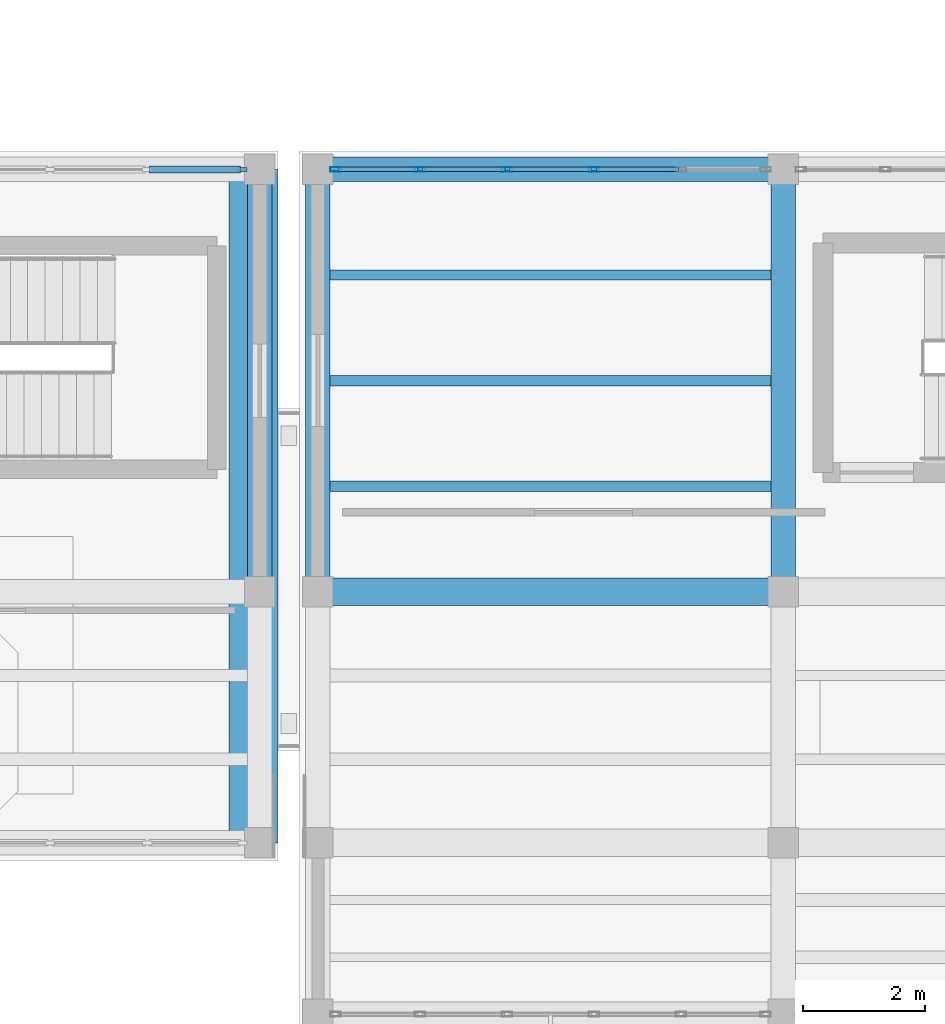
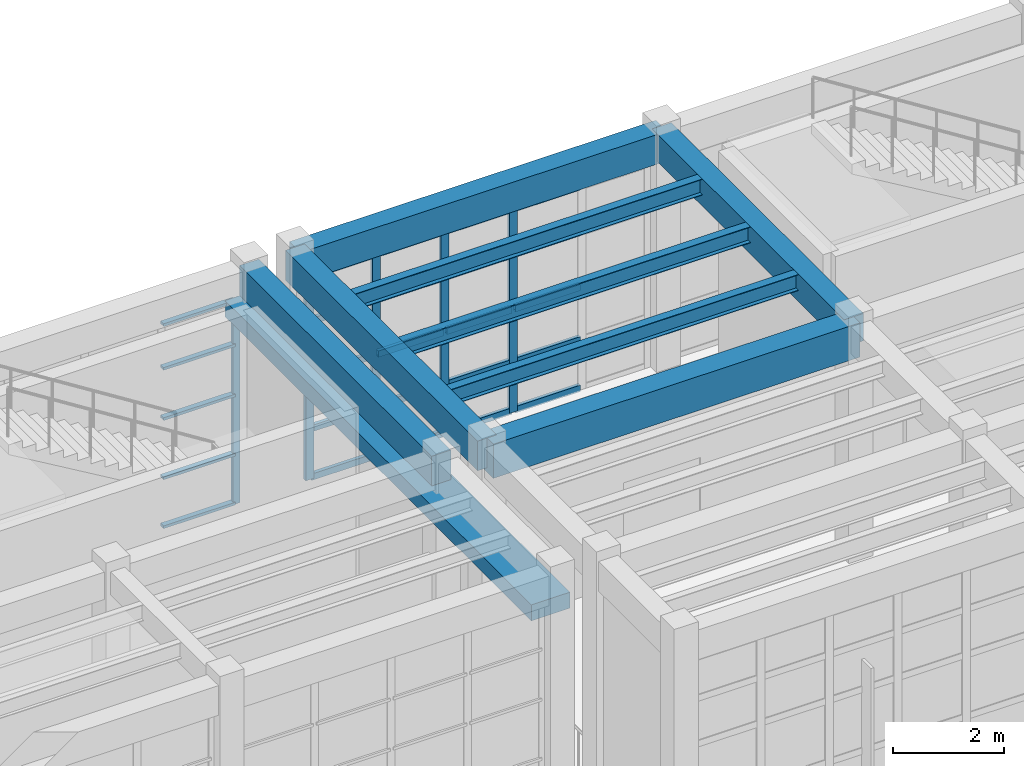
# One storey, part 23 of 103: 30 members, 9 beams, 2 elements without a shape of their own.
"""IFC4 building model written with IfcOpenShell, lengths in metres."""

from ifc_helpers import new_model, si_unit, direction, frame, origin, origin_2d, place, context, subcontext, project, spatial, rectangle, hollow_rectangle, i_section, extrude, material, layer, layer_set, material_profile, profile_set, type_object, element, aggregate, save


model = new_model("IFC4")

# Units and contexts
model_context = context("Model", 3, precision=1e-05, world=origin(), true_north=direction((0.0, 1.0)))
body_context = subcontext(model_context, "Body", "Model", "MODEL_VIEW")
ifc_project = project(units=[si_unit("LENGTHUNIT", "METRE"), si_unit("AREAUNIT", "SQUARE_METRE"), si_unit("VOLUMEUNIT", "CUBIC_METRE"), si_unit("PLANEANGLEUNIT", "RADIAN"), si_unit("MASSUNIT", "GRAM", prefix="KILO")], contexts=[model_context])

# Site, building, storey
site_placement = place(None, origin())
site = spatial("IfcSite", under=ifc_project, at=site_placement, CompositionType="ELEMENT")
building_placement = place(site_placement, origin())
building = spatial("IfcBuilding", under=site, at=building_placement, Name="Candilejo Ridge Gondola Terminal", CompositionType="ELEMENT")
storey_placement = place(building_placement, frame((0.0, 0.0, 9.0)))
storey = spatial("IfcBuildingStorey", under=building, at=storey_placement, Name="L02", CompositionType="ELEMENT", Elevation=9.0)

# Curtain wall, members
ifc_material_1 = material(Name="Anodised aluminium AA 6063-T6", Category="aluminium")
ifc_layer_1 = layer(ifc_material_1, 0.169921875)
ifc_layer_set_1 = layer_set([ifc_layer_1], Name="ARC-CW-GALLERY-3200-710X449")
curtain_wall_type_1 = type_object("IfcCurtainWallType", Name="ARC-CW-GALLERY-3200-710X449", PredefinedType="NOTDEFINED", material=ifc_layer_set_1)
curtain_wall_1_placement = place(storey_placement, origin())
curtain_wall_1 = element("IfcCurtainWall", 1, at=curtain_wall_1_placement, inside=storey, type_object=curtain_wall_type_1, Name="Curtain wall V3 L02-082", PredefinedType="NOTDEFINED")
ifc_material_2 = material(Name="Anodised aluminium AA 6063-T6", Category="aluminium")
ifc_material_profile_1 = material_profile(ifc_material_2, hollow_rectangle(XDim=0.074951171875, YDim=0.169921875, WallThickness=0.00390625, at=origin_2d()))
ifc_profile_set_1 = profile_set([ifc_material_profile_1], Name="Anodised aluminium AA 6063-T6")
member_type_1 = type_object("IfcMemberType", Name="ARC-CW-MULLION", PredefinedType="MULLION", material=ifc_profile_set_1)
member_1_placement = place(storey_placement, frame((87.28759765625, 36.699951171875, 0.0), z_axis=(0.0, 0.0, 1.0), x_axis=(0.0, 1.0, 0.0)))
member_1 = element("IfcMember", 2, at=member_1_placement, type_object=member_type_1, Name="CW-71X44 mullion 1", PredefinedType="MULLION", context=body_context, shape_type="SweptSolid", body=[
    extrude(hollow_rectangle(XDim=0.074951171875, YDim=0.169921875, WallThickness=0.00390625, at=origin_2d()), origin(), (0.0, 0.0, 1.0), 4.489990234375),
])
member_2_placement = place(storey_placement, frame((88.669921875, 36.699951171875, 0.0), z_axis=(0.0, 0.0, 1.0), x_axis=(0.0, 1.0, 0.0)))
member_2 = element("IfcMember", 3, at=member_2_placement, type_object=member_type_1, Name="CW-71X44 mullion 2", PredefinedType="MULLION", context=body_context, shape_type="SweptSolid", body=[
    extrude(hollow_rectangle(XDim=0.074951171875, YDim=0.169921875, WallThickness=0.00390625, at=origin_2d()), origin(), (0.0, 0.0, 1.0), 4.489990234375),
])
member_3_placement = place(storey_placement, frame((90.090087890625, 36.699951171875, 0.0), z_axis=(0.0, 0.0, 1.0), x_axis=(0.0, 1.0, 0.0)))
member_3 = element("IfcMember", 4, at=member_3_placement, type_object=member_type_1, Name="CW-71X44 mullion 3", PredefinedType="MULLION", context=body_context, shape_type="SweptSolid", body=[
    extrude(hollow_rectangle(XDim=0.074951171875, YDim=0.169921875, WallThickness=0.00390625, at=origin_2d()), origin(), (0.0, 0.0, 1.0), 4.489990234375),
])
member_4_placement = place(storey_placement, frame((91.510009765625, 36.699951171875, 0.0), z_axis=(0.0, 0.0, 1.0), x_axis=(0.0, 1.0, 0.0)))
member_4 = element("IfcMember", 5, at=member_4_placement, type_object=member_type_1, Name="CW-71X44 mullion 4", PredefinedType="MULLION", context=body_context, shape_type="SweptSolid", body=[
    extrude(hollow_rectangle(XDim=0.074951171875, YDim=0.169921875, WallThickness=0.00390625, at=origin_2d()), origin(), (0.0, 0.0, 1.0), 4.489990234375),
])

# Curtain wall, member
ifc_material_3 = material(Name="Anodised aluminium AA 6063-T6", Category="aluminium")
ifc_layer_2 = layer(ifc_material_3, 0.169921875)
ifc_layer_set_2 = layer_set([ifc_layer_2], Name="ARC-CW-DRUM-3400-635X449")
curtain_wall_type_2 = type_object("IfcCurtainWallType", Name="ARC-CW-DRUM-3400-635X449", PredefinedType="NOTDEFINED", material=ifc_layer_set_2)
curtain_wall_2_placement = place(storey_placement, origin())
curtain_wall_2 = element("IfcCurtainWall", 6, at=curtain_wall_2_placement, inside=storey, type_object=curtain_wall_type_2, Name="Curtain wall V2 L02-056", PredefinedType="NOTDEFINED")
ifc_material_4 = material(Name="Anodised aluminium AA 6063-T6", Category="aluminium")
ifc_material_profile_2 = material_profile(ifc_material_4, rectangle(XDim=0.06494140625, YDim=0.14990234375, at=origin_2d()))
ifc_profile_set_2 = profile_set([ifc_material_profile_2], Name="Anodised aluminium AA 6063-T6")
member_type_2 = type_object("IfcMemberType", Name="ARC-CW-MULLION-150", PredefinedType="MULLION", material=ifc_profile_set_2)
member_5_placement = place(storey_placement, frame((85.767578125, 36.699951171875, 0.0), z_axis=(0.0, 0.0, 1.0), x_axis=(0.0, 1.0, 0.0)))
member_5 = element("IfcMember", 7, at=member_5_placement, type_object=member_type_2, Name="CW-63X44 mullion 5", PredefinedType="MULLION", context=body_context, shape_type="SweptSolid", body=[
    extrude(rectangle(XDim=0.06494140625, YDim=0.14990234375, at=origin_2d()), origin(), (0.0, 0.0, 1.0), 4.489990234375),
])

# Member
ifc_material_5 = material(Name="Anodised aluminium AA 6063-T6", Category="aluminium")
ifc_material_profile_3 = material_profile(ifc_material_5, hollow_rectangle(XDim=0.074951171875, YDim=0.139892578125, WallThickness=0.00390625, at=origin_2d()))
ifc_profile_set_3 = profile_set([ifc_material_profile_3], Name="Anodised aluminium AA 6063-T6")
member_type_3 = type_object("IfcMemberType", Name="ARC-CW-TRANSOM", PredefinedType="USERDEFINED", material=ifc_profile_set_3)
member_6_placement = place(storey_placement, frame((87.324951171875, 36.699951171875, 0.03759765625), z_axis=(1.0, 0.0, 0.0), x_axis=(0.0, 1.0, 0.0)))
member_6 = element("IfcMember", 8, at=member_6_placement, type_object=member_type_3, Name="CW-71X44 transom 1.1", ObjectType="TRANSOM", PredefinedType="USERDEFINED", context=body_context, shape_type="SweptSolid", body=[
    extrude(hollow_rectangle(XDim=0.074951171875, YDim=0.139892578125, WallThickness=0.00390625, at=origin_2d()), origin(), (0.0, 0.0, 1.0), 1.3076171875),
])

member_7_placement = place(storey_placement, frame((87.324951171875, 36.699951171875, 1.10009765625), z_axis=(1.0, 0.0, 0.0), x_axis=(0.0, 1.0, 0.0)))
member_7 = element("IfcMember", 9, at=member_7_placement, type_object=member_type_3, Name="CW-71X44 transom 1.2", ObjectType="TRANSOM", PredefinedType="USERDEFINED", context=body_context, shape_type="SweptSolid", body=[
    extrude(hollow_rectangle(XDim=0.074951171875, YDim=0.139892578125, WallThickness=0.00390625, at=origin_2d()), origin(), (0.0, 0.0, 1.0), 1.3076171875),
])

member_8_placement = place(storey_placement, frame((87.324951171875, 36.699951171875, 2.25), z_axis=(1.0, 0.0, 0.0), x_axis=(0.0, 1.0, 0.0)))
member_8 = element("IfcMember", 10, at=member_8_placement, type_object=member_type_3, Name="CW-71X44 transom 1.3", ObjectType="TRANSOM", PredefinedType="USERDEFINED", context=body_context, shape_type="SweptSolid", body=[
    extrude(hollow_rectangle(XDim=0.074951171875, YDim=0.139892578125, WallThickness=0.00390625, at=origin_2d()), origin(), (0.0, 0.0, 1.0), 1.3076171875),
])

member_9_placement = place(storey_placement, frame((87.324951171875, 36.699951171875, 3.449951171875), z_axis=(1.0, 0.0, 0.0), x_axis=(0.0, 1.0, 0.0)))
member_9 = element("IfcMember", 11, at=member_9_placement, type_object=member_type_3, Name="CW-71X44 transom 1.4", ObjectType="TRANSOM", PredefinedType="USERDEFINED", context=body_context, shape_type="SweptSolid", body=[
    extrude(hollow_rectangle(XDim=0.074951171875, YDim=0.139892578125, WallThickness=0.00390625, at=origin_2d()), origin(), (0.0, 0.0, 1.0), 1.3076171875),
])

member_10_placement = place(storey_placement, frame((87.324951171875, 36.699951171875, 4.452392578125), z_axis=(1.0, 0.0, 0.0), x_axis=(0.0, 1.0, 0.0)))
member_10 = element("IfcMember", 12, at=member_10_placement, type_object=member_type_3, Name="CW-71X44 transom 1.5", ObjectType="TRANSOM", PredefinedType="USERDEFINED", context=body_context, shape_type="SweptSolid", body=[
    extrude(hollow_rectangle(XDim=0.074951171875, YDim=0.139892578125, WallThickness=0.00390625, at=origin_2d()), origin(), (0.0, 0.0, 1.0), 1.3076171875),
])

member_11_placement = place(storey_placement, frame((88.70751953125, 36.699951171875, 0.03759765625), z_axis=(1.0, 0.0, 0.0), x_axis=(0.0, 1.0, 0.0)))
member_11 = element("IfcMember", 13, at=member_11_placement, type_object=member_type_3, Name="CW-71X44 transom 2.1", ObjectType="TRANSOM", PredefinedType="USERDEFINED", context=body_context, shape_type="SweptSolid", body=[
    extrude(hollow_rectangle(XDim=0.074951171875, YDim=0.139892578125, WallThickness=0.00390625, at=origin_2d()), origin(), (0.0, 0.0, 1.0), 1.344970703125),
])

member_12_placement = place(storey_placement, frame((88.70751953125, 36.699951171875, 1.10009765625), z_axis=(1.0, 0.0, 0.0), x_axis=(0.0, 1.0, 0.0)))
member_12 = element("IfcMember", 14, at=member_12_placement, type_object=member_type_3, Name="CW-71X44 transom 2.2", ObjectType="TRANSOM", PredefinedType="USERDEFINED", context=body_context, shape_type="SweptSolid", body=[
    extrude(hollow_rectangle(XDim=0.074951171875, YDim=0.139892578125, WallThickness=0.00390625, at=origin_2d()), origin(), (0.0, 0.0, 1.0), 1.344970703125),
])

member_13_placement = place(storey_placement, frame((88.70751953125, 36.699951171875, 2.25), z_axis=(1.0, 0.0, 0.0), x_axis=(0.0, 1.0, 0.0)))
member_13 = element("IfcMember", 15, at=member_13_placement, type_object=member_type_3, Name="CW-71X44 transom 2.3", ObjectType="TRANSOM", PredefinedType="USERDEFINED", context=body_context, shape_type="SweptSolid", body=[
    extrude(hollow_rectangle(XDim=0.074951171875, YDim=0.139892578125, WallThickness=0.00390625, at=origin_2d()), origin(), (0.0, 0.0, 1.0), 1.344970703125),
])

member_14_placement = place(storey_placement, frame((88.70751953125, 36.699951171875, 3.449951171875), z_axis=(1.0, 0.0, 0.0), x_axis=(0.0, 1.0, 0.0)))
member_14 = element("IfcMember", 16, at=member_14_placement, type_object=member_type_3, Name="CW-71X44 transom 2.4", ObjectType="TRANSOM", PredefinedType="USERDEFINED", context=body_context, shape_type="SweptSolid", body=[
    extrude(hollow_rectangle(XDim=0.074951171875, YDim=0.139892578125, WallThickness=0.00390625, at=origin_2d()), origin(), (0.0, 0.0, 1.0), 1.344970703125),
])

member_15_placement = place(storey_placement, frame((88.70751953125, 36.699951171875, 4.452392578125), z_axis=(1.0, 0.0, 0.0), x_axis=(0.0, 1.0, 0.0)))
member_15 = element("IfcMember", 17, at=member_15_placement, type_object=member_type_3, Name="CW-71X44 transom 2.5", ObjectType="TRANSOM", PredefinedType="USERDEFINED", context=body_context, shape_type="SweptSolid", body=[
    extrude(hollow_rectangle(XDim=0.074951171875, YDim=0.139892578125, WallThickness=0.00390625, at=origin_2d()), origin(), (0.0, 0.0, 1.0), 1.344970703125),
])

member_16_placement = place(storey_placement, frame((90.12744140625, 36.699951171875, 0.03759765625), z_axis=(1.0, 0.0, 0.0), x_axis=(0.0, 1.0, 0.0)))
member_16 = element("IfcMember", 18, at=member_16_placement, type_object=member_type_3, Name="CW-71X44 transom 3.1", ObjectType="TRANSOM", PredefinedType="USERDEFINED", context=body_context, shape_type="SweptSolid", body=[
    extrude(hollow_rectangle(XDim=0.074951171875, YDim=0.139892578125, WallThickness=0.00390625, at=origin_2d()), origin(), (0.0, 0.0, 1.0), 1.344970703125),
])

member_17_placement = place(storey_placement, frame((90.12744140625, 36.699951171875, 1.10009765625), z_axis=(1.0, 0.0, 0.0), x_axis=(0.0, 1.0, 0.0)))
member_17 = element("IfcMember", 19, at=member_17_placement, type_object=member_type_3, Name="CW-71X44 transom 3.2", ObjectType="TRANSOM", PredefinedType="USERDEFINED", context=body_context, shape_type="SweptSolid", body=[
    extrude(hollow_rectangle(XDim=0.074951171875, YDim=0.139892578125, WallThickness=0.00390625, at=origin_2d()), origin(), (0.0, 0.0, 1.0), 1.344970703125),
])

member_18_placement = place(storey_placement, frame((90.12744140625, 36.699951171875, 2.25), z_axis=(1.0, 0.0, 0.0), x_axis=(0.0, 1.0, 0.0)))
member_18 = element("IfcMember", 20, at=member_18_placement, type_object=member_type_3, Name="CW-71X44 transom 3.3", ObjectType="TRANSOM", PredefinedType="USERDEFINED", context=body_context, shape_type="SweptSolid", body=[
    extrude(hollow_rectangle(XDim=0.074951171875, YDim=0.139892578125, WallThickness=0.00390625, at=origin_2d()), origin(), (0.0, 0.0, 1.0), 1.344970703125),
])

member_19_placement = place(storey_placement, frame((90.12744140625, 36.699951171875, 3.449951171875), z_axis=(1.0, 0.0, 0.0), x_axis=(0.0, 1.0, 0.0)))
member_19 = element("IfcMember", 21, at=member_19_placement, type_object=member_type_3, Name="CW-71X44 transom 3.4", ObjectType="TRANSOM", PredefinedType="USERDEFINED", context=body_context, shape_type="SweptSolid", body=[
    extrude(hollow_rectangle(XDim=0.074951171875, YDim=0.139892578125, WallThickness=0.00390625, at=origin_2d()), origin(), (0.0, 0.0, 1.0), 1.344970703125),
])

member_20_placement = place(storey_placement, frame((90.12744140625, 36.699951171875, 4.452392578125), z_axis=(1.0, 0.0, 0.0), x_axis=(0.0, 1.0, 0.0)))
member_20 = element("IfcMember", 22, at=member_20_placement, type_object=member_type_3, Name="CW-71X44 transom 3.5", ObjectType="TRANSOM", PredefinedType="USERDEFINED", context=body_context, shape_type="SweptSolid", body=[
    extrude(hollow_rectangle(XDim=0.074951171875, YDim=0.139892578125, WallThickness=0.00390625, at=origin_2d()), origin(), (0.0, 0.0, 1.0), 1.344970703125),
])

member_21_placement = place(storey_placement, frame((91.547607421875, 36.699951171875, 0.03759765625), z_axis=(1.0, 0.0, 0.0), x_axis=(0.0, 1.0, 0.0)))
member_21 = element("IfcMember", 23, at=member_21_placement, type_object=member_type_3, Name="CW-71X44 transom 4.1", ObjectType="TRANSOM", PredefinedType="USERDEFINED", context=body_context, shape_type="SweptSolid", body=[
    extrude(hollow_rectangle(XDim=0.074951171875, YDim=0.139892578125, WallThickness=0.00390625, at=origin_2d()), origin(), (0.0, 0.0, 1.0), 1.344970703125),
])

member_22_placement = place(storey_placement, frame((91.547607421875, 36.699951171875, 1.10009765625), z_axis=(1.0, 0.0, 0.0), x_axis=(0.0, 1.0, 0.0)))
member_22 = element("IfcMember", 24, at=member_22_placement, type_object=member_type_3, Name="CW-71X44 transom 4.2", ObjectType="TRANSOM", PredefinedType="USERDEFINED", context=body_context, shape_type="SweptSolid", body=[
    extrude(hollow_rectangle(XDim=0.074951171875, YDim=0.139892578125, WallThickness=0.00390625, at=origin_2d()), origin(), (0.0, 0.0, 1.0), 1.344970703125),
])

member_23_placement = place(storey_placement, frame((91.547607421875, 36.699951171875, 2.25), z_axis=(1.0, 0.0, 0.0), x_axis=(0.0, 1.0, 0.0)))
member_23 = element("IfcMember", 25, at=member_23_placement, type_object=member_type_3, Name="CW-71X44 transom 4.3", ObjectType="TRANSOM", PredefinedType="USERDEFINED", context=body_context, shape_type="SweptSolid", body=[
    extrude(hollow_rectangle(XDim=0.074951171875, YDim=0.139892578125, WallThickness=0.00390625, at=origin_2d()), origin(), (0.0, 0.0, 1.0), 1.344970703125),
])

member_24_placement = place(storey_placement, frame((91.547607421875, 36.699951171875, 3.449951171875), z_axis=(1.0, 0.0, 0.0), x_axis=(0.0, 1.0, 0.0)))
member_24 = element("IfcMember", 26, at=member_24_placement, type_object=member_type_3, Name="CW-71X44 transom 4.4", ObjectType="TRANSOM", PredefinedType="USERDEFINED", context=body_context, shape_type="SweptSolid", body=[
    extrude(hollow_rectangle(XDim=0.074951171875, YDim=0.139892578125, WallThickness=0.00390625, at=origin_2d()), origin(), (0.0, 0.0, 1.0), 1.344970703125),
])

member_25_placement = place(storey_placement, frame((91.547607421875, 36.699951171875, 4.452392578125), z_axis=(1.0, 0.0, 0.0), x_axis=(0.0, 1.0, 0.0)))
member_25 = element("IfcMember", 27, at=member_25_placement, type_object=member_type_3, Name="CW-71X44 transom 4.5", ObjectType="TRANSOM", PredefinedType="USERDEFINED", context=body_context, shape_type="SweptSolid", body=[
    extrude(hollow_rectangle(XDim=0.074951171875, YDim=0.139892578125, WallThickness=0.00390625, at=origin_2d()), origin(), (0.0, 0.0, 1.0), 1.344970703125),
])

aggregate(curtain_wall_1, [member_1, member_2, member_3, member_4, member_6, member_7, member_8, member_9, member_10, member_11, member_12, member_13, member_14, member_15, member_16, member_17, member_18, member_19, member_20, member_21, member_22, member_23, member_24, member_25])

ifc_material_6 = material(Name="Anodised aluminium AA 6063-T6", Category="aluminium")
ifc_material_profile_4 = material_profile(ifc_material_6, rectangle(XDim=0.110107421875, YDim=0.06005859375, at=origin_2d()))
ifc_profile_set_4 = profile_set([ifc_material_profile_4], Name="Anodised aluminium AA 6063-T6")
member_type_4 = type_object("IfcMemberType", Name="ARC-CW-TRANSOM-110", PredefinedType="USERDEFINED", material=ifc_profile_set_4)
member_26_placement = place(storey_placement, frame((84.2451171875, 36.699951171875, 0.030029296875), z_axis=(1.0, 0.0, 0.0), x_axis=(0.0, 1.0, 0.0)))
member_26 = element("IfcMember", 28, at=member_26_placement, type_object=member_type_4, Name="CW-63X44 transom 4.1", ObjectType="TRANSOM", PredefinedType="USERDEFINED", context=body_context, shape_type="SweptSolid", body=[
    extrude(rectangle(XDim=0.110107421875, YDim=0.06005859375, at=origin_2d()), origin(), (0.0, 0.0, 1.0), 1.489990234375),
])

member_27_placement = place(storey_placement, frame((84.2451171875, 36.699951171875, 1.10009765625), z_axis=(1.0, 0.0, 0.0), x_axis=(0.0, 1.0, 0.0)))
member_27 = element("IfcMember", 29, at=member_27_placement, type_object=member_type_4, Name="CW-63X44 transom 4.2", ObjectType="TRANSOM", PredefinedType="USERDEFINED", context=body_context, shape_type="SweptSolid", body=[
    extrude(rectangle(XDim=0.110107421875, YDim=0.06005859375, at=origin_2d()), origin(), (0.0, 0.0, 1.0), 1.489990234375),
])

member_28_placement = place(storey_placement, frame((84.2451171875, 36.699951171875, 2.39990234375), z_axis=(1.0, 0.0, 0.0), x_axis=(0.0, 1.0, 0.0)))
member_28 = element("IfcMember", 30, at=member_28_placement, type_object=member_type_4, Name="CW-63X44 transom 4.3", ObjectType="TRANSOM", PredefinedType="USERDEFINED", context=body_context, shape_type="SweptSolid", body=[
    extrude(rectangle(XDim=0.110107421875, YDim=0.06005859375, at=origin_2d()), origin(), (0.0, 0.0, 1.0), 1.489990234375),
])

member_29_placement = place(storey_placement, frame((84.2451171875, 36.699951171875, 3.5), z_axis=(1.0, 0.0, 0.0), x_axis=(0.0, 1.0, 0.0)))
member_29 = element("IfcMember", 31, at=member_29_placement, type_object=member_type_4, Name="CW-63X44 transom 4.4", ObjectType="TRANSOM", PredefinedType="USERDEFINED", context=body_context, shape_type="SweptSolid", body=[
    extrude(rectangle(XDim=0.110107421875, YDim=0.06005859375, at=origin_2d()), origin(), (0.0, 0.0, 1.0), 1.489990234375),
])

member_30_placement = place(storey_placement, frame((84.2451171875, 36.699951171875, 4.4599609375), z_axis=(1.0, 0.0, 0.0), x_axis=(0.0, 1.0, 0.0)))
member_30 = element("IfcMember", 32, at=member_30_placement, type_object=member_type_4, Name="CW-63X44 transom 4.5", ObjectType="TRANSOM", PredefinedType="USERDEFINED", context=body_context, shape_type="SweptSolid", body=[
    extrude(rectangle(XDim=0.110107421875, YDim=0.06005859375, at=origin_2d()), origin(), (0.0, 0.0, 1.0), 1.489990234375),
])

aggregate(curtain_wall_2, [member_5, member_26, member_27, member_28, member_29, member_30])

# Beams
ifc_material_7 = material(Name="Concrete f'c 35 MPa (C35/45)", Category="concrete")
ifc_material_profile_5 = material_profile(ifc_material_7, rectangle(XDim=0.39990234375, YDim=0.60009765625, at=origin_2d()))
ifc_profile_set_5 = profile_set([ifc_material_profile_5], Name="Concrete f'c 35 MPa (C35/45)")
beam_type_1 = type_object("IfcBeamType", Name="STR-BM-RC400X600", PredefinedType="BEAM", material=ifc_profile_set_5)
beam_1_placement = place(storey_placement, frame((94.60009765625, 29.800048828125, 4.875), z_axis=(0.0, 1.0, 0.0), x_axis=(-1.0, 0.0, 0.0)))
element("IfcBeam", 33, at=beam_1_placement, inside=storey, type_object=beam_type_1, Name="Beam Y V3 L02 Y06-Y07@X15", PredefinedType="BEAM", context=body_context, shape_type="SweptSolid", body=[
    extrude(rectangle(XDim=0.39990234375, YDim=0.60009765625, at=origin_2d()), origin(), (0.0, 0.0, 1.0), 6.89990234375),
])
ifc_material_8 = material(Name="Concrete f'c 35 MPa (C35/45)", Category="concrete")
ifc_material_profile_6 = material_profile(ifc_material_8, rectangle(XDim=0.449951171875, YDim=0.75, at=origin_2d()))
ifc_profile_set_6 = profile_set([ifc_material_profile_6], Name="Concrete f'c 35 MPa (C35/45)")
beam_type_2 = type_object("IfcBeamType", Name="STR-BM-RC450X750", PredefinedType="BEAM", material=ifc_profile_set_6)
beam_2_placement = place(storey_placement, frame((87.0, 29.800048828125, 4.800048828125), z_axis=(1.0, 0.0, 0.0), x_axis=(0.0, 1.0, 0.0)))
element("IfcBeam", 34, at=beam_2_placement, inside=storey, type_object=beam_type_2, Name="Beam X V3 L02 X14-X15@Y06", PredefinedType="BEAM", context=body_context, shape_type="SweptSolid", body=[
    extrude(rectangle(XDim=0.449951171875, YDim=0.75, at=origin_2d()), origin(), (0.0, 0.0, 1.0), 7.60009765625),
])
ifc_material_9 = material(Name="Concrete f'c 35 MPa (C35/45)", Category="concrete")
ifc_material_profile_7 = material_profile(ifc_material_9, rectangle(XDim=0.800048828125, YDim=0.35009765625, at=origin_2d()))
ifc_profile_set_7 = profile_set([ifc_material_profile_7], Name="Concrete f'c 35 MPa (C35/45)")
beam_type_3 = type_object("IfcBeamType", Name="STR-CRB-RC800X350", PredefinedType="SPANDREL", material=ifc_profile_set_7)
beam_3_placement = place(storey_placement, frame((85.949951171875, 25.699951171875, 4.3349609375), z_axis=(0.0, 1.0, 0.0), x_axis=(-1.0, 0.0, 0.0)))
element("IfcBeam", 35, at=beam_3_placement, inside=storey, type_object=beam_type_3, Name="Seismic bridge 800 mm RC corbel seat LB-SJ2-L03", PredefinedType="SPANDREL", context=body_context, shape_type="SweptSolid", body=[
    extrude(rectangle(XDim=0.800048828125, YDim=0.35009765625, at=origin_2d()), origin(), (0.0, 0.0, 1.0), 11.0),
])
ifc_material_10 = material(Name="Steel ASTM A992 Grade 50", Category="steel")
ifc_material_profile_8 = material_profile(ifc_material_10, i_section(OverallWidth=0.1708984375, OverallDepth=0.35498046875, WebThickness=0.007080078125, FlangeThickness=0.01171875, at=origin_2d()))
ifc_profile_set_8 = profile_set([ifc_material_profile_8], Name="Steel ASTM A992 Grade 50")
beam_type_4 = type_object("IfcBeamType", Name="STR-JST-W360X51", PredefinedType="JOIST", material=ifc_profile_set_8)
for number, where, z_axis, x_axis, name in (
    (36, (87.199951171875, 31.52490234375, 4.99755859375), (1.0, 0.0, 0.0), (0.0, 1.0, 0.0), "Composite joist V3 L02-0556"),
    (37, (87.199951171875, 33.25, 4.99755859375), (1.0, 0.0, 0.0), (0.0, 1.0, 0.0), "Composite joist V3 L02-0557"),
    (38, (87.199951171875, 34.97509765625, 4.99755859375), (1.0, 0.0, 0.0), (0.0, 1.0, 0.0), "Composite joist V3 L02-0558"),
):
    element("IfcBeam", number, at=place(storey_placement, frame(where, z_axis=z_axis, x_axis=x_axis)), inside=storey, type_object=beam_type_4, Name=name, PredefinedType="JOIST", context=body_context, shape_type="SweptSolid", body=[
        extrude(i_section(OverallWidth=0.1708984375, OverallDepth=0.35498046875, WebThickness=0.007080078125, FlangeThickness=0.01171875, at=origin_2d()), origin(), (0.0, 0.0, 1.0), 7.199951171875),
    ])
ifc_material_11 = material(Name="Concrete f'c 35 MPa (C35/45)", Category="concrete")
ifc_material_profile_9 = material_profile(ifc_material_11, rectangle(XDim=0.39990234375, YDim=0.64990234375, at=origin_2d()))
ifc_profile_set_9 = profile_set([ifc_material_profile_9], Name="Concrete f'c 35 MPa (C35/45)")
beam_type_5 = type_object("IfcBeamType", Name="STR-SPN-RC400X650", PredefinedType="SPANDREL", material=ifc_profile_set_9)
beam_4_placement = place(storey_placement, frame((86.050048828125, 29.800048828125, 4.85009765625), z_axis=(0.0, 1.0, 0.0), x_axis=(-1.0, 0.0, 0.0)))
element("IfcBeam", 39, at=beam_4_placement, inside=storey, type_object=beam_type_5, Name="Beam Y V2 L02 Y06-Y07@X13", PredefinedType="SPANDREL", context=body_context, shape_type="SweptSolid", body=[
    extrude(rectangle(XDim=0.39990234375, YDim=0.64990234375, at=origin_2d()), origin(), (0.0, 0.0, 1.0), 6.89990234375),
])
beam_5_placement = place(storey_placement, frame((87.0, 36.699951171875, 4.85009765625), z_axis=(1.0, 0.0, 0.0), x_axis=(0.0, 1.0, 0.0)))
element("IfcBeam", 40, at=beam_5_placement, inside=storey, type_object=beam_type_5, Name="Beam X V3 L02 X14-X15@Y07", PredefinedType="SPANDREL", context=body_context, shape_type="SweptSolid", body=[
    extrude(rectangle(XDim=0.39990234375, YDim=0.64990234375, at=origin_2d()), origin(), (0.0, 0.0, 1.0), 7.60009765625),
])
beam_6_placement = place(storey_placement, frame((87.0, 29.800048828125, 4.85009765625), z_axis=(0.0, 1.0, 0.0), x_axis=(-1.0, 0.0, 0.0)))
element("IfcBeam", 41, at=beam_6_placement, inside=storey, type_object=beam_type_5, Name="Beam Y V3 L02 Y06-Y07@X14", PredefinedType="SPANDREL", context=body_context, shape_type="SweptSolid", body=[
    extrude(rectangle(XDim=0.39990234375, YDim=0.64990234375, at=origin_2d()), origin(), (0.0, 0.0, 1.0), 6.89990234375),
])

save(model, "model.ifc")
